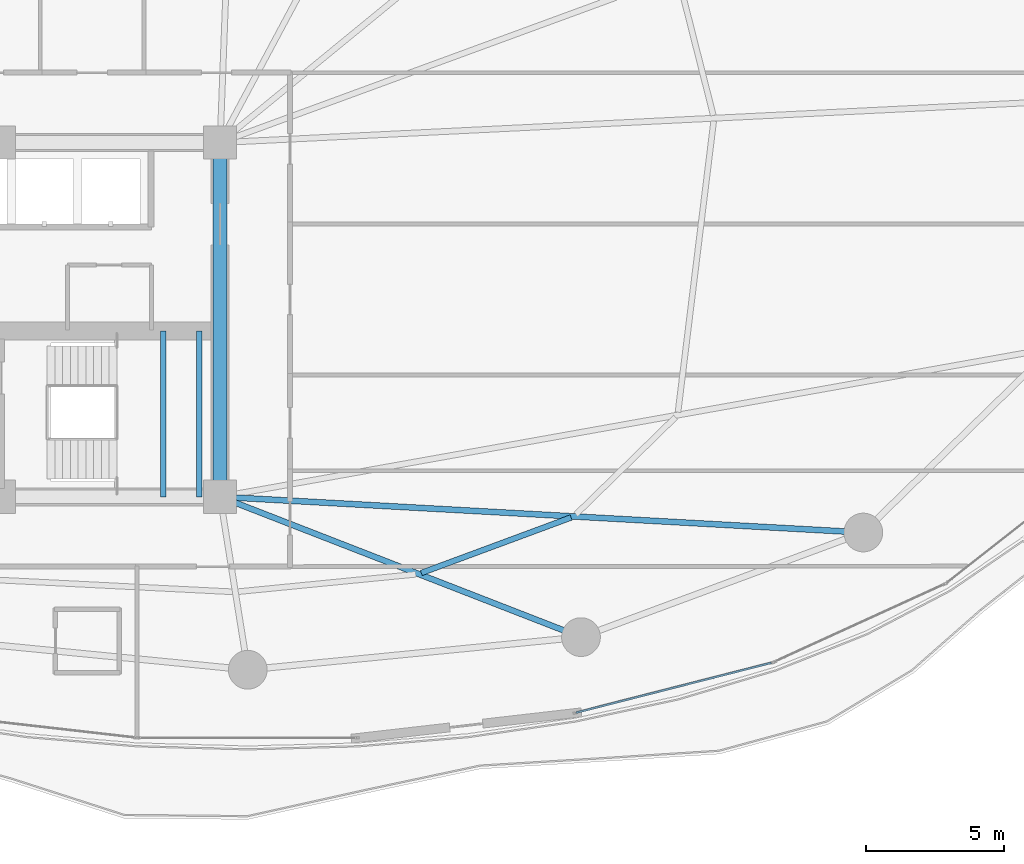
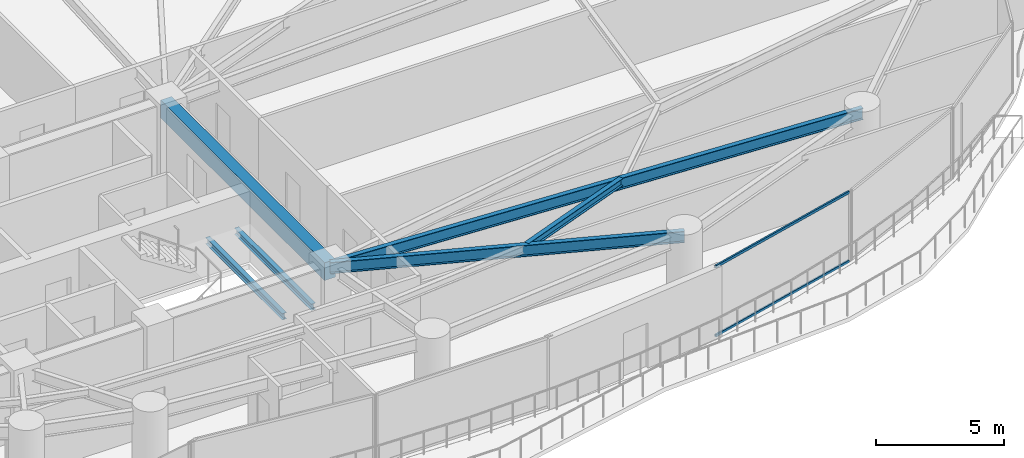
# One storey, part 12 of 31: 6 beams, 2 members, 1 element without a shape of its own.
"""IFC4 building model written with IfcOpenShell, lengths in metres."""

from ifc_helpers import new_model, si_unit, direction, frame, origin, origin_2d, place, context, subcontext, project, spatial, rectangle, hollow_rectangle, i_section, extrude, material, layer, layer_set, material_profile, profile_set, type_object, element, aggregate, save


model = new_model("IFC4")

# Units and contexts
model_context = context("Model", 3, precision=1e-05, world=origin(), true_north=direction((0.0, 1.0)))
body_context = subcontext(model_context, "Body", "Model", "MODEL_VIEW")
ifc_project = project(units=[si_unit("LENGTHUNIT", "METRE"), si_unit("AREAUNIT", "SQUARE_METRE"), si_unit("VOLUMEUNIT", "CUBIC_METRE"), si_unit("PLANEANGLEUNIT", "RADIAN"), si_unit("MASSUNIT", "GRAM", prefix="KILO")], contexts=[model_context])

# Site, building, storey
site_placement = place(None, origin())
site = spatial("IfcSite", under=ifc_project, at=site_placement, CompositionType="ELEMENT")
building_placement = place(site_placement, origin())
building = spatial("IfcBuilding", under=site, at=building_placement, Name="Kazevale Care Tower and Concert Hall", CompositionType="ELEMENT")
storey_placement = place(building_placement, frame((0.0, 0.0, 56.39990234375)))
storey = spatial("IfcBuildingStorey", under=building, at=storey_placement, Name="L14", CompositionType="ELEMENT", Elevation=56.39990234375)

# Curtain wall, members
ifc_material_1 = material(Name="Aluminium 6063-T6 and Low-E Glass", Category="aluminium")
ifc_layer = layer(ifc_material_1, 0.179931640625)
ifc_layer_set = layer_set([ifc_layer], Name="Aluminium 6063-T6 and Low-E Glass")
curtain_wall_type = type_object("IfcCurtainWallType", Name="Sheltered Concave Balcony Curtain Wall CW-5", PredefinedType="NOTDEFINED", material=ifc_layer_set)
curtain_wall_placement = place(storey_placement, origin())
curtain_wall = element("IfcCurtainWall", 1, at=curtain_wall_placement, inside=storey, type_object=curtain_wall_type, Name="cw:L14:f04", PredefinedType="NOTDEFINED")
ifc_material_2 = material(Name="Aluminium 6063-T6", Category="aluminium")
ifc_material_profile_1 = material_profile(ifc_material_2, hollow_rectangle(XDim=0.074951171875, YDim=0.1201171875, WallThickness=0.00390625, at=origin_2d()), Name="ALU75x120x4")
ifc_profile_set_1 = profile_set([ifc_material_profile_1], Name="Aluminium 6063-T6")
member_type = type_object("IfcMemberType", Name="CW-5 Transom ALU75x120x4", PredefinedType="USERDEFINED", material=ifc_profile_set_1)
member_1_placement = place(storey_placement, frame((63.915283203125, 17.599365234375, 0.03759765625), z_axis=(-0.968960816419, -0.24721435283, 0.0), x_axis=(0.24721435283, -0.968960816419, 0.0)))
member_1 = element("IfcMember", 2, at=member_1_placement, type_object=member_type, Name="CW-5 transom 1.1", ObjectType="TRANSOM", PredefinedType="USERDEFINED", context=body_context, shape_type="SweptSolid", body=[
    extrude(hollow_rectangle(XDim=0.074951171875, YDim=0.1201171875, WallThickness=0.00390625, at=origin_2d()), origin(), (0.0, 0.0, 1.0), 7.2763671875),
])
member_2_placement = place(storey_placement, frame((63.915283203125, 17.599365234375, 3.322509765625), z_axis=(-0.968960816419, -0.24721435283, 0.0), x_axis=(0.24721435283, -0.968960816419, 0.0)))
member_2 = element("IfcMember", 3, at=member_2_placement, type_object=member_type, Name="CW-5 transom 1.2", ObjectType="TRANSOM", PredefinedType="USERDEFINED", context=body_context, shape_type="SweptSolid", body=[
    extrude(hollow_rectangle(XDim=0.074951171875, YDim=0.1201171875, WallThickness=0.00390625, at=origin_2d()), origin(), (0.0, 0.0, 1.0), 7.2763671875),
])
aggregate(curtain_wall, [member_1, member_2])

# Beams
ifc_material_3 = material(Name="Concrete C60", Category="concrete")
ifc_material_profile_2 = material_profile(ifc_material_3, rectangle(XDim=0.5, YDim=0.85009765625, at=origin_2d()), Name="RC-B500x850")
ifc_profile_set_2 = profile_set([ifc_material_profile_2], Name="Concrete C60")
beam_type_1 = type_object("IfcBeamType", Name="Core Coupling Beam RC500x850", PredefinedType="LINTEL", material=ifc_profile_set_2)
beam_1_placement = place(storey_placement, frame((44.0, 23.60009765625, 2.93505859375), z_axis=(0.0, 1.0, 0.0), x_axis=(-1.0, 0.0, 0.0)))
element("IfcBeam", 4, at=beam_1_placement, inside=storey, type_object=beam_type_1, Name="beam:L14:coretie:4", PredefinedType="LINTEL", context=body_context, shape_type="SweptSolid", body=[
    extrude(rectangle(XDim=0.5, YDim=0.85009765625, at=origin_2d()), origin(), (0.0, 0.0, 1.0), 12.7998046875),
])
ifc_material_4 = material(Name="Steel ASTM A572 Gr 50", Category="steel")
ifc_material_profile_3 = material_profile(ifc_material_4, i_section(OverallWidth=0.2119140625, OverallDepth=0.5439453125, WebThickness=0.01318359375, FlangeThickness=0.021240234375, at=origin_2d()), Name="W530x123")
ifc_profile_set_3 = profile_set([ifc_material_profile_3], Name="Steel ASTM A572 Gr 50")
beam_type_2 = type_object("IfcBeamType", Name="Radial Floor Girder W530x123", PredefinedType="BEAM", material=ifc_profile_set_3)
beam_2_placement = place(storey_placement, frame((44.0, 23.60009765625, 3.088134765625), z_axis=(0.932030212407, -0.362380577792, 0.0), x_axis=(0.362380577792, 0.932030212407, 0.0)))
element("IfcBeam", 5, at=beam_2_placement, inside=storey, type_object=beam_type_2, Name="beam:L14:rad:14", PredefinedType="BEAM", context=body_context, shape_type="SweptSolid", body=[
    extrude(i_section(OverallWidth=0.2119140625, OverallDepth=0.5439453125, WebThickness=0.01318359375, FlangeThickness=0.021240234375, at=origin_2d()), origin(), (0.0, 0.0, 1.0), 13.990966796875),
])
beam_3_placement = place(storey_placement, frame((44.0, 23.60009765625, 3.088134765625), z_axis=(0.998462901796, -0.055424125948, 0.0), x_axis=(0.055424125948, 0.998462901796, 0.0)))
element("IfcBeam", 6, at=beam_3_placement, inside=storey, type_object=beam_type_2, Name="beam:L14:rad:15", PredefinedType="BEAM", context=body_context, shape_type="SweptSolid", body=[
    extrude(i_section(OverallWidth=0.2119140625, OverallDepth=0.5439453125, WebThickness=0.01318359375, FlangeThickness=0.021240234375, at=origin_2d()), origin(), (0.0, 0.0, 1.0), 23.27587890625),
])
ifc_material_profile_4 = material_profile(ifc_material_4, i_section(OverallWidth=0.205078125, OverallDepth=0.35400390625, WebThickness=0.009521484375, FlangeThickness=0.016845703125, at=origin_2d()), Name="W360x79")
ifc_profile_set_4 = profile_set([ifc_material_profile_4], Name="Steel ASTM A572 Gr 50")
beam_type_3 = type_object("IfcBeamType", Name="Secondary Floor Joist W360x79", PredefinedType="JOIST", material=ifc_profile_set_4)
beam_4_placement = place(storey_placement, frame((51.27001953125, 20.847900390625, 3.18310546875), z_axis=(0.937698254396, 0.347450692477, 0.0), x_axis=(-0.347450692477, 0.937698254396, 0.0)))
element("IfcBeam", 7, at=beam_4_placement, inside=storey, type_object=beam_type_3, Name="beam:L14:joist:14", PredefinedType="JOIST", context=body_context, shape_type="SweptSolid", body=[
    extrude(i_section(OverallWidth=0.205078125, OverallDepth=0.35400390625, WebThickness=0.009521484375, FlangeThickness=0.016845703125, at=origin_2d()), origin(), (0.0, 0.0, 1.0), 5.773681640625),
])
ifc_material_profile_5 = material_profile(ifc_material_4, i_section(OverallWidth=0.202880859375, OverallDepth=0.302978515625, WebThickness=0.007568359375, FlangeThickness=0.01318359375, at=origin_2d()), Name="W310x60")
ifc_profile_set_5 = profile_set([ifc_material_profile_5], Name="Steel ASTM A572 Gr 50")
beam_type_4 = type_object("IfcBeamType", Name="Stair & Balcony Trimmer W310x60", PredefinedType="BEAM", material=ifc_profile_set_5)
for number, where, z_axis, x_axis, name in (
    (8, (41.949951171875, 23.60009765625, 1.448486328125), (0.0, 1.0, 0.0), (-1.0, 0.0, 0.0), "beam:L14:sttrim:ST2"),
    (9, (43.25, 23.60009765625, 1.448486328125), (0.0, 1.0, 0.0), (-1.0, 0.0, 0.0), "beam:L14:sttrim:ST2b"),
):
    element("IfcBeam", number, at=place(storey_placement, frame(where, z_axis=z_axis, x_axis=x_axis)), inside=storey, type_object=beam_type_4, Name=name, PredefinedType="BEAM", context=body_context, shape_type="SweptSolid", body=[
        extrude(i_section(OverallWidth=0.202880859375, OverallDepth=0.302978515625, WebThickness=0.007568359375, FlangeThickness=0.01318359375, at=origin_2d()), origin(), (0.0, 0.0, 1.0), 6.0),
    ])

save(model, "model.ifc")
